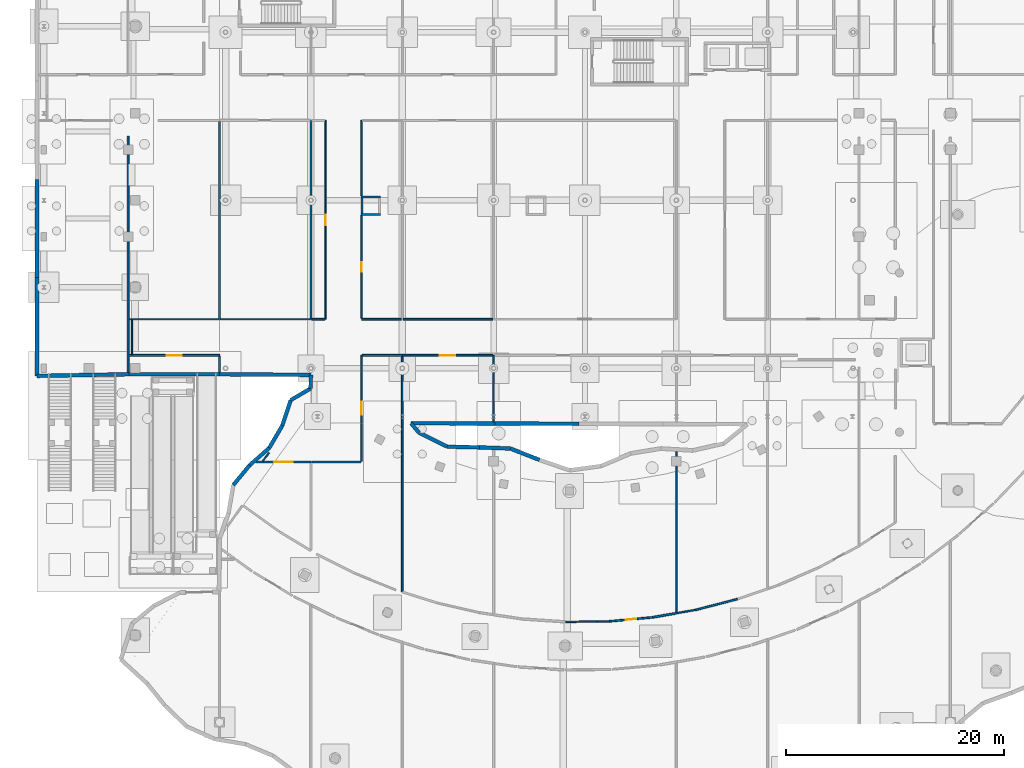
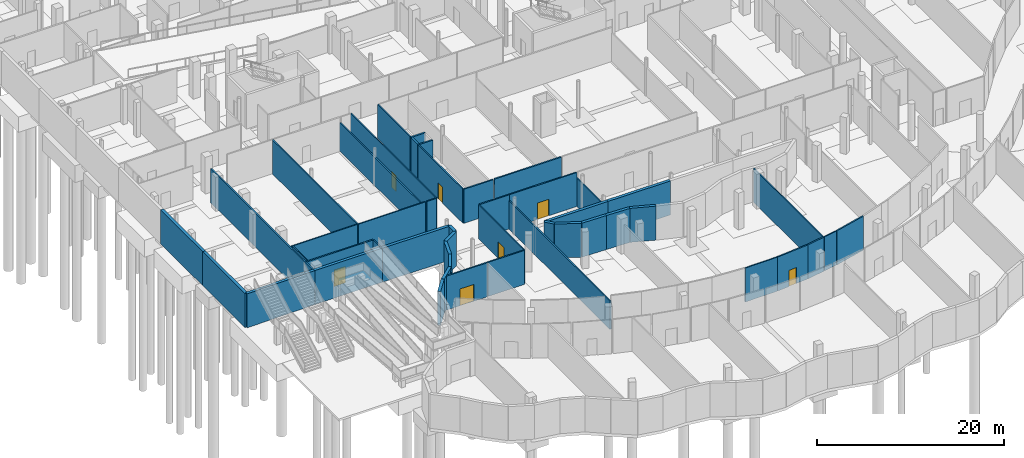
# One storey, part 26 of 45: 49 walls, 7 doors, 7 openings.
"""IFC4 building model written with IfcOpenShell, lengths in metres."""

from ifc_helpers import new_model, si_unit, direction, frame, frame_2d, origin, place, context, subcontext, project, spatial, rectangle, extrude, material, layer, layer_set, type_object, element, fill, save


model = new_model("IFC4")

# Units and contexts
model_context = context("Model", 3, precision=1e-05, world=origin(), true_north=direction((0.0, 1.0)))
body_context = subcontext(model_context, "Body", "Model", "MODEL_VIEW")
ifc_project = project(units=[si_unit("LENGTHUNIT", "METRE"), si_unit("AREAUNIT", "SQUARE_METRE"), si_unit("VOLUMEUNIT", "CUBIC_METRE"), si_unit("PLANEANGLEUNIT", "RADIAN"), si_unit("MASSUNIT", "GRAM", prefix="KILO")], contexts=[model_context])

# Site, building, storey
site_placement = place(None, origin())
site = spatial("IfcSite", under=ifc_project, at=site_placement, CompositionType="ELEMENT")
building_placement = place(site_placement, origin())
building = spatial("IfcBuilding", under=site, at=building_placement, Name="Selatvlak General Hospital", CompositionType="ELEMENT")
storey_placement = place(building_placement, frame((0.0, 0.0, -4.800048828125)))
storey = spatial("IfcBuildingStorey", under=building, at=storey_placement, Name="B1", CompositionType="ELEMENT", Elevation=-4.800048828125)

# Walls
ifc_material_1 = material(Name="Concrete C45/55", Category="concrete")
ifc_layer_1 = layer(ifc_material_1, 0.35009765625, Name="Concrete C45/55", Category="concrete")
ifc_layer_set_1 = layer_set([ifc_layer_1], Name="Concrete C45/55")
wall_type_1 = type_object("IfcWallType", Name="WALL-EW-05", PredefinedType="SHEAR", material=ifc_layer_set_1)
wall_1_placement = place(storey_placement, frame((6.0, 51.85009765625, 0.0), z_axis=(0.0, 0.0, 1.0), x_axis=(0.0, 1.0, 0.0)))
element("IfcWall", 1, at=wall_1_placement, inside=storey, type_object=wall_type_1, Name="B1 retaining wall 0001", PredefinedType="SHEAR", context=body_context, shape_type="SweptSolid", body=[
    extrude(rectangle(XDim=9.036865234375, YDim=0.35009765625, at=frame_2d((4.5185546875, 0.0))), origin(), (0.0, 0.0, 1.0), 4.449951171875),
])
wall_2_placement = place(storey_placement, frame((6.0, 60.886962890625, 0.0), z_axis=(0.0, 0.0, 1.0), x_axis=(0.0, 1.0, 0.0)))
element("IfcWall", 2, at=wall_2_placement, inside=storey, type_object=wall_type_1, Name="B1 retaining wall 0002", PredefinedType="SHEAR", context=body_context, shape_type="SweptSolid", body=[
    extrude(rectangle(XDim=9.037109375, YDim=0.35009765625, at=frame_2d((4.5185546875, 0.0))), origin(), (0.0, 0.0, 1.0), 4.449951171875),
])
wall_3_placement = place(storey_placement, frame((24.054931640625, 41.81201171875, 0.0), z_axis=(0.0, 0.0, 1.0), x_axis=(0.636876107615, 0.770966162389, 0.0)))
element("IfcWall", 3, at=wall_3_placement, inside=storey, type_object=wall_type_1, Name="B1 retaining wall 0117", PredefinedType="SHEAR", context=body_context, shape_type="SweptSolid", body=[
    extrude(rectangle(XDim=2.36328125, YDim=0.35009765625, at=frame_2d((1.181640625, 0.0))), origin(), (0.0, 0.0, 1.0), 4.449951171875),
])
wall_4_placement = place(storey_placement, frame((25.56005859375, 43.634033203125, 0.0), z_axis=(0.0, 0.0, 1.0), x_axis=(0.749145471779, 0.662405511838, 0.0)))
element("IfcWall", 4, at=wall_4_placement, inside=storey, type_object=wall_type_1, Name="B1 retaining wall 0118", PredefinedType="SHEAR", context=body_context, shape_type="SweptSolid", body=[
    extrude(rectangle(XDim=2.409423828125, YDim=0.35009765625, at=frame_2d((1.20458984375, 0.0))), origin(), (0.0, 0.0, 1.0), 4.449951171875),
])
wall_5_placement = place(storey_placement, frame((27.364990234375, 45.22998046875, 0.0), z_axis=(0.0, 0.0, 1.0), x_axis=(0.505080098532, 0.863072473241, 0.0)))
element("IfcWall", 5, at=wall_5_placement, inside=storey, type_object=wall_type_1, Name="B1 retaining wall 0119", PredefinedType="SHEAR", context=body_context, shape_type="SweptSolid", body=[
    extrude(rectangle(XDim=2.371826171875, YDim=0.35009765625, at=frame_2d((1.18603515625, 0.0))), origin(), (0.0, 0.0, 1.0), 4.449951171875),
])
wall_6_placement = place(storey_placement, frame((28.56298828125, 47.277099609375, 0.0), z_axis=(0.0, 0.0, 1.0), x_axis=(0.314688914906, 0.949194862415, 0.0)))
element("IfcWall", 6, at=wall_6_placement, inside=storey, type_object=wall_type_1, Name="B1 retaining wall 0120", PredefinedType="SHEAR", context=body_context, shape_type="SweptSolid", body=[
    extrude(rectangle(XDim=2.4755859375, YDim=0.35009765625, at=frame_2d((1.23779296875, 0.0))), origin(), (0.0, 0.0, 1.0), 4.449951171875),
])
wall_7_placement = place(storey_placement, frame((29.342041015625, 49.626953125, 0.0), z_axis=(0.0, 0.0, 1.0), x_axis=(0.862996083424, 0.505210609543, 0.0)))
element("IfcWall", 7, at=wall_7_placement, inside=storey, type_object=wall_type_1, Name="B1 retaining wall 0121", PredefinedType="SHEAR", context=body_context, shape_type="SweptSolid", body=[
    extrude(rectangle(XDim=2.1181640625, YDim=0.35009765625, at=frame_2d((1.05908203125, 0.0))), origin(), (0.0, 0.0, 1.0), 4.449951171875),
])
wall_8_placement = place(storey_placement, frame((31.169921875, 50.697021484375, 0.0), z_axis=(0.0, 0.0, 1.0), x_axis=(0.024153234526, 0.999708268077, 0.0)))
element("IfcWall", 8, at=wall_8_placement, inside=storey, type_object=wall_type_1, Name="B1 retaining wall 0122", PredefinedType="SHEAR", context=body_context, shape_type="SweptSolid", body=[
    extrude(rectangle(XDim=1.2431640625, YDim=0.35009765625, at=frame_2d((0.62158203125, 0.0))), origin(), (0.0, 0.0, 1.0), 4.449951171875),
])
wall_9_placement = place(storey_placement, frame((31.199951171875, 51.93994140625, 0.0), z_axis=(0.0, 0.0, 1.0), x_axis=(-0.999974385273, 0.007157429625, 0.0)))
element("IfcWall", 9, at=wall_9_placement, inside=storey, type_object=wall_type_1, Name="B1 retaining wall 0123", PredefinedType="SHEAR", context=body_context, shape_type="SweptSolid", body=[
    extrude(rectangle(XDim=8.39111328125, YDim=0.35009765625, at=frame_2d((4.195556640625, 0.0))), origin(), (0.0, 0.0, 1.0), 4.449951171875),
])
wall_10_placement = place(storey_placement, frame((22.80908203125, 52.0, 0.0), z_axis=(0.0, 0.0, 1.0), x_axis=(-1.0, 0.0, 0.0)))
element("IfcWall", 10, at=wall_10_placement, inside=storey, type_object=wall_type_1, Name="B1 retaining wall 0124", PredefinedType="SHEAR", context=body_context, shape_type="SweptSolid", body=[
    extrude(rectangle(XDim=8.34912109375, YDim=0.35009765625, at=frame_2d((4.174560546875, 0.0))), origin(), (0.0, 0.0, 1.0), 4.449951171875),
])
wall_11_placement = place(storey_placement, frame((14.4599609375, 52.0, 0.0), z_axis=(0.0, 0.0, 1.0), x_axis=(-0.999843054855, -0.01771625406, 0.0)))
element("IfcWall", 11, at=wall_11_placement, inside=storey, type_object=wall_type_1, Name="B1 retaining wall 0125", PredefinedType="SHEAR", context=body_context, shape_type="SweptSolid", body=[
    extrude(rectangle(XDim=8.461181640625, YDim=0.35009765625, at=frame_2d((4.23046875, 0.0))), origin(), (0.0, 0.0, 1.0), 4.449951171875),
])
wall_12_placement = place(storey_placement, frame((49.5380859375, 45.1708984375, 0.0), z_axis=(0.0, 0.0, 1.0), x_axis=(0.932197520847, -0.361949971856, 0.0)))
element("IfcWall", 12, at=wall_12_placement, inside=storey, type_object=wall_type_1, Name="B1 retaining wall 0126", PredefinedType="SHEAR", context=body_context, shape_type="SweptSolid", body=[
    extrude(rectangle(XDim=2.872802734375, YDim=0.35009765625, at=frame_2d((1.4365234375, 0.0))), origin(), (0.0, 0.0, 1.0), 4.449951171875),
])
wall_13_placement = place(storey_placement, frame((55.85498046875, 47.447021484375, 0.0), z_axis=(0.0, 0.0, 1.0), x_axis=(-0.999994388871, 0.00334995908, 0.0)))
element("IfcWall", 13, at=wall_13_placement, inside=storey, type_object=wall_type_1, Name="B1 retaining wall 0136", PredefinedType="SHEAR", context=body_context, shape_type="SweptSolid", body=[
    extrude(rectangle(XDim=7.72509765625, YDim=0.35009765625, at=frame_2d((3.862548828125, 0.0))), origin(), (0.0, 0.0, 1.0), 4.449951171875),
])
wall_14_placement = place(storey_placement, frame((48.1298828125, 47.472900390625, 0.0), z_axis=(0.0, 0.0, 1.0), x_axis=(-0.999993846651, 0.003508084984, 0.0)))
element("IfcWall", 14, at=wall_14_placement, inside=storey, type_object=wall_type_1, Name="B1 retaining wall 0137", PredefinedType="SHEAR", context=body_context, shape_type="SweptSolid", body=[
    extrude(rectangle(XDim=7.724853515625, YDim=0.35009765625, at=frame_2d((3.8623046875, 0.0))), origin(), (0.0, 0.0, 1.0), 4.449951171875),
])
wall_15_placement = place(storey_placement, frame((40.405029296875, 47.5, 0.0), z_axis=(0.0, 0.0, 1.0), x_axis=(0.645591853451, -0.763682629603, 0.0)))
element("IfcWall", 15, at=wall_15_placement, inside=storey, type_object=wall_type_1, Name="B1 retaining wall 0138", PredefinedType="SHEAR", context=body_context, shape_type="SweptSolid", body=[
    extrude(rectangle(XDim=1.124755859375, YDim=0.35009765625, at=frame_2d((0.5625, 0.0))), origin(), (0.0, 0.0, 1.0), 4.449951171875),
])
wall_16_placement = place(storey_placement, frame((41.131103515625, 46.64111328125, 0.0), z_axis=(0.0, 0.0, 1.0), x_axis=(0.893357392407, -0.449346825327, 0.0)))
element("IfcWall", 16, at=wall_16_placement, inside=storey, type_object=wall_type_1, Name="B1 retaining wall 0139", PredefinedType="SHEAR", context=body_context, shape_type="SweptSolid", body=[
    extrude(rectangle(XDim=2.88232421875, YDim=0.35009765625, at=frame_2d((1.441162109375, 0.0))), origin(), (0.0, 0.0, 1.0), 4.449951171875),
])
wall_17_placement = place(storey_placement, frame((43.7060546875, 45.345947265625, 0.0), z_axis=(0.0, 0.0, 1.0), x_axis=(0.999734269031, -0.023051926727, 0.0)))
element("IfcWall", 17, at=wall_17_placement, inside=storey, type_object=wall_type_1, Name="B1 retaining wall 0140", PredefinedType="SHEAR", context=body_context, shape_type="SweptSolid", body=[
    extrude(rectangle(XDim=2.986572265625, YDim=0.35009765625, at=frame_2d((1.4931640625, 0.0))), origin(), (0.0, 0.0, 1.0), 4.449951171875),
])
wall_18_placement = place(storey_placement, frame((46.69189453125, 45.277099609375, 0.0), z_axis=(0.0, 0.0, 1.0), x_axis=(0.999304579952, -0.037287484327, 0.0)))
element("IfcWall", 18, at=wall_18_placement, inside=storey, type_object=wall_type_1, Name="B1 retaining wall 0141", PredefinedType="SHEAR", context=body_context, shape_type="SweptSolid", body=[
    extrude(rectangle(XDim=2.84814453125, YDim=0.35009765625, at=frame_2d((1.424072265625, 0.0))), origin(), (0.0, 0.0, 1.0), 4.449951171875),
])
ifc_material_2 = material(Name="Concrete C40/50", Category="concrete")
ifc_layer_2 = layer(ifc_material_2, 0.199951171875, Name="Concrete C40/50", Category="concrete")
ifc_layer_set_2 = layer_set([ifc_layer_2], Name="Concrete C40/50")
wall_type_2 = type_object("IfcWallType", Name="WALL-IW-02", PredefinedType="SOLIDWALL", material=ifc_layer_set_2)
for number, where, z_axis, x_axis, name in (
    (19, (35.800048828125, 66.699951171875, 0.0), (0.0, 0.0, 1.0), (1.0, 0.0, 0.0), "Service riser 5 shaft wall B1 S"),
    (20, (37.60009765625, 68.300048828125, 0.0), (0.0, 0.0, 1.0), (-1.0, 0.0, 0.0), "Service riser 5 shaft wall B1 N"),
):
    element("IfcWall", number, at=place(storey_placement, frame(where, z_axis=z_axis, x_axis=x_axis)), inside=storey, type_object=wall_type_2, Name=name, PredefinedType="SOLIDWALL", context=body_context, shape_type="SweptSolid", body=[
        extrude(rectangle(XDim=1.800048828125, YDim=0.199951171875, at=frame_2d((0.89990234375, 0.0))), origin(), (0.0, 0.0, 1.0), 4.449951171875),
    ])
wall_19_placement = place(storey_placement, frame((35.89990234375, 68.199951171875, 0.0), z_axis=(0.0, 0.0, 1.0), x_axis=(0.0, -1.0, 0.0)))
element("IfcWall", 21, at=wall_19_placement, inside=storey, type_object=wall_type_2, Name="Service riser 5 shaft wall B1 W", PredefinedType="SOLIDWALL", context=body_context, shape_type="SweptSolid", body=[
    extrude(rectangle(XDim=1.39990234375, YDim=0.199951171875, at=frame_2d((0.699951171875, 0.0))), origin(), (0.0, 0.0, 1.0), 4.449951171875),
])

# Wall, opening, door
ifc_material_3 = material(Name="Acoustic gypsum stud partition")
ifc_layer_3 = layer(ifc_material_3, 0.179931640625, Name="Acoustic gypsum stud partition")
ifc_layer_set_3 = layer_set([ifc_layer_3], Name="Acoustic gypsum stud partition")
wall_type_3 = type_object("IfcWallType", Name="WALL-PT-01", PredefinedType="PARTITIONING", material=ifc_layer_set_3)
wall_20_placement = place(storey_placement, frame((26.166015625, 43.93994140625, 0.0), z_axis=(0.0, 0.0, 1.0), x_axis=(1.0, 0.0, 0.0)))
wall_20 = element("IfcWall", 22, at=wall_20_placement, inside=storey, type_object=wall_type_3, Name="B1 clinical partition PT-B1-0021", PredefinedType="PARTITIONING", context=body_context, shape_type="SweptSolid", body=[
    extrude(rectangle(XDim=5.033935546875, YDim=0.179931640625, at=frame_2d((2.51708984375, 0.0))), origin(), (0.0, 0.0, 1.0), 4.449951171875),
])
opening_1_placement = place(wall_20_placement, frame((1.6669921875, 0.0, 0.0)))
opening_1 = element("IfcOpeningElement", 23, at=opening_1_placement, cuts=wall_20, Name="Opening D-15", PredefinedType="OPENING", context=body_context, shape_type="SweptSolid", body=[
    extrude(rectangle(XDim=1.699951171875, YDim=2.199951171875, at=frame_2d((0.85009765625, 1.10009765625))), frame((0.0, 0.099853515625, 0.0), z_axis=(0.0, -1.0, 0.0), x_axis=(1.0, 0.0, 0.0)), (0.0, 0.0, 1.0), 0.199951171875),
])
ifc_material_4 = material(Name="Maternity delivery double door")
door_type_1 = type_object("IfcDoorType", Name="DOOR-D-15", OperationType="DOUBLE_DOOR_SINGLE_SWING", PredefinedType="DOOR", material=ifc_material_4)
door_1_placement = place(opening_1_placement, origin())
door_1 = element("IfcDoor", 24, at=door_1_placement, inside=storey, type_object=door_type_1, Name="B1 Metro Concourse Reception Hall door", OperationType="DOUBLE_DOOR_SINGLE_SWING", OverallHeight=2.199951171875, OverallWidth=1.699951171875, PredefinedType="DOOR", context=body_context, shape_type="SweptSolid", body=[
    extrude(rectangle(XDim=1.699951171875, YDim=2.199951171875, at=frame_2d((0.85009765625, 1.10009765625))), frame((0.0, 0.02490234375, 0.0), z_axis=(0.0, -1.0, 0.0), x_axis=(1.0, 0.0, 0.0)), (0.0, 0.0, 1.0), 0.050048828125),
])
fill(opening_1, door_1)

# Wall
wall_21_placement = place(storey_placement, frame((14.39990234375, 73.887939453125, 0.0), z_axis=(0.0, 0.0, 1.0), x_axis=(0.0, -1.0, 0.0)))
element("IfcWall", 25, at=wall_21_placement, inside=storey, type_object=wall_type_3, Name="B1 clinical partition PT-B1-0025", PredefinedType="PARTITIONING", context=body_context, shape_type="SweptSolid", body=[
    extrude(rectangle(XDim=21.717041015625, YDim=0.179931640625, at=frame_2d((10.8583984375, 0.0))), origin(), (0.0, 0.0, 1.0), 4.449951171875),
])

# Wall, opening, door
wall_22_placement = place(storey_placement, frame((14.486083984375, 53.739990234375, 0.0), z_axis=(0.0, 0.0, 1.0), x_axis=(1.0, 0.0, 0.0)))
wall_22 = element("IfcWall", 26, at=wall_22_placement, inside=storey, type_object=wall_type_3, Name="B1 clinical partition PT-B1-0030", PredefinedType="PARTITIONING", context=body_context, shape_type="SweptSolid", body=[
    extrude(rectangle(XDim=8.31396484375, YDim=0.179931640625, at=frame_2d((4.156982421875, 0.0))), origin(), (0.0, 0.0, 1.0), 4.449951171875),
])
opening_2_placement = place(wall_22_placement, frame((3.45703125, 0.0, 0.0)))
opening_2 = element("IfcOpeningElement", 27, at=opening_2_placement, cuts=wall_22, Name="Opening D-11", PredefinedType="OPENING", context=body_context, shape_type="SweptSolid", body=[
    extrude(rectangle(XDim=1.39990234375, YDim=2.14990234375, at=frame_2d((0.699951171875, 1.074951171875))), frame((0.0, 0.099853515625, 0.0), z_axis=(0.0, -1.0, 0.0), x_axis=(1.0, 0.0, 0.0)), (0.0, 0.0, 1.0), 0.199951171875),
])
ifc_material_5 = material(Name="Inpatient suite bed door")
door_type_2 = type_object("IfcDoorType", Name="DOOR-D-11", OperationType="NOTDEFINED", PredefinedType="DOOR", material=ifc_material_5)
door_2_placement = place(opening_2_placement, origin())
door_2 = element("IfcDoor", 28, at=door_2_placement, inside=storey, type_object=door_type_2, Name="B1 Hospital Dietary Kitchen 02 door", OperationType="SINGLE_SWING_RIGHT", OverallHeight=2.14990234375, OverallWidth=1.39990234375, PredefinedType="DOOR", context=body_context, shape_type="SweptSolid", body=[
    extrude(rectangle(XDim=1.39990234375, YDim=2.14990234375, at=frame_2d((0.699951171875, 1.074951171875))), frame((0.0, 0.02490234375, 0.0), z_axis=(0.0, -1.0, 0.0), x_axis=(1.0, 0.0, 0.0)), (0.0, 0.0, 1.0), 0.050048828125),
])
fill(opening_2, door_2)

# Walls
wall_23_placement = place(storey_placement, frame((32.47705078125, 57.06005859375, 0.0), z_axis=(0.0, 0.0, 1.0), x_axis=(-1.0, 0.0, 0.0)))
element("IfcWall", 29, at=wall_23_placement, inside=storey, type_object=wall_type_3, Name="B1 clinical partition PT-B1-0045", PredefinedType="PARTITIONING", context=body_context, shape_type="SweptSolid", body=[
    extrude(rectangle(XDim=1.198974609375, YDim=0.179931640625, at=frame_2d((0.599609375, 0.0))), origin(), (0.0, 0.0, 1.0), 4.449951171875),
])
wall_24_placement = place(storey_placement, frame((35.923095703125, 53.739990234375, 0.0), z_axis=(0.0, 0.0, 1.0), x_axis=(1.0, 0.0, 0.0)))
element("IfcWall", 30, at=wall_24_placement, inside=storey, type_object=wall_type_3, Name="B1 clinical partition PT-B1-0048", PredefinedType="PARTITIONING", context=body_context, shape_type="SweptSolid", body=[
    extrude(rectangle(XDim=3.677001953125, YDim=0.179931640625, at=frame_2d((1.83837890625, 0.0))), origin(), (0.0, 0.0, 1.0), 4.449951171875),
])
wall_25_placement = place(storey_placement, frame((47.93701171875, 57.06005859375, 0.0), z_axis=(0.0, 0.0, 1.0), x_axis=(-1.0, 0.0, 0.0)))
element("IfcWall", 31, at=wall_25_placement, inside=storey, type_object=wall_type_3, Name="B1 clinical partition PT-B1-0069", PredefinedType="PARTITIONING", context=body_context, shape_type="SweptSolid", body=[
    extrude(rectangle(XDim=8.2509765625, YDim=0.179931640625, at=frame_2d((4.12548828125, 0.0))), origin(), (0.0, 0.0, 1.0), 4.449951171875),
])
wall_26_placement = place(storey_placement, frame((64.800048828125, 30.028076171875, 0.0), z_axis=(0.0, 0.0, 1.0), x_axis=(-0.985196357546, -0.17142968552, 0.0)))
element("IfcWall", 32, at=wall_26_placement, inside=storey, type_object=wall_type_3, Name="B1 clinical partition PT-B1-0084", PredefinedType="PARTITIONING", context=body_context, shape_type="SweptSolid", body=[
    extrude(rectangle(XDim=2.211669921875, YDim=0.179931640625, at=frame_2d((1.10595703125, 0.0))), origin(), (0.0, 0.0, 1.0), 4.449951171875),
])
ifc_layer_4 = layer(ifc_material_3, 0.1650390625, Name="Acoustic gypsum stud partition")
ifc_layer_set_4 = layer_set([ifc_layer_4], Name="Acoustic gypsum stud partition")
wall_type_4 = type_object("IfcWallType", Name="WALL-PT-02", PredefinedType="PARTITIONING", material=ifc_layer_set_4)
wall_27_placement = place(storey_placement, frame((22.800048828125, 53.654052734375, 0.0), z_axis=(0.0, 0.0, 1.0), x_axis=(0.0, -1.0, 0.0)))
element("IfcWall", 33, at=wall_27_placement, inside=storey, type_object=wall_type_4, Name="B1 clinical partition PT-B1-0031", PredefinedType="PARTITIONING", context=body_context, shape_type="SweptSolid", body=[
    extrude(rectangle(XDim=1.48193359375, YDim=0.1650390625, at=frame_2d((0.740966796875, 0.0))), origin(), (0.0, 0.0, 1.0), 4.449951171875),
])
wall_28_placement = place(storey_placement, frame((31.199951171875, 75.340087890625, 0.0), z_axis=(0.0, 0.0, 1.0), x_axis=(0.0, -1.0, 0.0)))
element("IfcWall", 34, at=wall_28_placement, inside=storey, type_object=wall_type_4, Name="B1 clinical partition PT-B1-0037", PredefinedType="PARTITIONING", context=body_context, shape_type="SweptSolid", body=[
    extrude(rectangle(XDim=18.280029296875, YDim=0.1650390625, at=frame_2d((9.14013671875, 0.0))), origin(), (0.0, 0.0, 1.0), 3.699951171875),
])
wall_29_placement = place(storey_placement, frame((39.60009765625, 53.654052734375, 0.0), z_axis=(0.0, 0.0, 1.0), x_axis=(0.0, -1.0, 0.0)))
element("IfcWall", 35, at=wall_29_placement, inside=storey, type_object=wall_type_4, Name="B1 clinical partition PT-B1-0049", PredefinedType="PARTITIONING", context=body_context, shape_type="SweptSolid", body=[
    extrude(rectangle(XDim=21.670166015625, YDim=0.1650390625, at=frame_2d((10.8349609375, 0.0))), origin(), (0.0, 0.0, 1.0), 3.699951171875),
])
wall_30_placement = place(storey_placement, frame((31.260009765625, 43.93994140625, 0.0), z_axis=(0.0, 0.0, 1.0), x_axis=(1.0, 0.0, 0.0)))
element("IfcWall", 36, at=wall_30_placement, inside=storey, type_object=wall_type_4, Name="B1 clinical partition PT-B1-0052", PredefinedType="PARTITIONING", context=body_context, shape_type="SweptSolid", body=[
    extrude(rectangle(XDim=4.5400390625, YDim=0.1650390625, at=frame_2d((2.27001953125, 0.0))), origin(), (0.0, 0.0, 1.0), 4.449951171875),
])
wall_31_placement = place(storey_placement, frame((39.513916015625, 57.06005859375, 0.0), z_axis=(0.0, 0.0, 1.0), x_axis=(-1.0, 0.0, 0.0)))
element("IfcWall", 37, at=wall_31_placement, inside=storey, type_object=wall_type_4, Name="B1 clinical partition PT-B1-0056", PredefinedType="PARTITIONING", context=body_context, shape_type="SweptSolid", body=[
    extrude(rectangle(XDim=3.65380859375, YDim=0.1650390625, at=frame_2d((1.826904296875, 0.0))), origin(), (0.0, 0.0, 1.0), 4.449951171875),
])

# Wall, opening, door
wall_32_placement = place(storey_placement, frame((39.60009765625, 53.739990234375, 0.0), z_axis=(0.0, 0.0, 1.0), x_axis=(1.0, 0.0, 0.0)))
wall_32 = element("IfcWall", 38, at=wall_32_placement, inside=storey, type_object=wall_type_4, Name="B1 clinical partition PT-B1-0067", PredefinedType="PARTITIONING", context=body_context, shape_type="SweptSolid", body=[
    extrude(rectangle(XDim=8.3369140625, YDim=0.1650390625, at=frame_2d((4.16845703125, 0.0))), origin(), (0.0, 0.0, 1.0), 4.449951171875),
])
opening_3_placement = place(wall_32_placement, frame((3.468017578125, 0.0, 0.0)))
opening_3 = element("IfcOpeningElement", 39, at=opening_3_placement, cuts=wall_32, Name="Opening D-11", PredefinedType="OPENING", context=body_context, shape_type="SweptSolid", body=[
    extrude(rectangle(XDim=1.39990234375, YDim=2.14990234375, at=frame_2d((0.699951171875, 1.074951171875))), frame((0.0, 0.092529296875, 0.0), z_axis=(0.0, -1.0, 0.0), x_axis=(1.0, 0.0, 0.0)), (0.0, 0.0, 1.0), 0.18505859375),
])
door_3_placement = place(opening_3_placement, origin())
door_3 = element("IfcDoor", 40, at=door_3_placement, inside=storey, type_object=door_type_2, Name="B1 Outpatient Medical Records Archive 10 door", OperationType="SINGLE_SWING_RIGHT", OverallHeight=2.14990234375, OverallWidth=1.39990234375, PredefinedType="DOOR", context=body_context, shape_type="SweptSolid", body=[
    extrude(rectangle(XDim=1.39990234375, YDim=2.14990234375, at=frame_2d((0.699951171875, 1.074951171875))), frame((0.0, 0.02490234375, 0.0), z_axis=(0.0, -1.0, 0.0), x_axis=(1.0, 0.0, 0.0)), (0.0, 0.0, 1.0), 0.050048828125),
])
fill(opening_3, door_3)

wall_33_placement = place(storey_placement, frame((62.62109375, 29.64892578125, 0.0), z_axis=(0.0, 0.0, 1.0), x_axis=(-0.99575902483, -0.091999806904, 0.0)))
wall_33 = element("IfcWall", 41, at=wall_33_placement, inside=storey, type_object=wall_type_4, Name="B1 clinical partition PT-B1-0079", PredefinedType="PARTITIONING", context=body_context, shape_type="SweptSolid", body=[
    extrude(rectangle(XDim=3.9990234375, YDim=0.1650390625, at=frame_2d((1.99951171875, 0.0))), origin(), (0.0, 0.0, 1.0), 4.449951171875),
])
opening_4_placement = place(wall_33_placement, frame((1.52392578125, 0.0, 0.0)))
opening_4 = element("IfcOpeningElement", 42, at=opening_4_placement, cuts=wall_33, Name="Opening D-02", PredefinedType="OPENING", context=body_context, shape_type="SweptSolid", body=[
    extrude(rectangle(XDim=0.949951171875, YDim=2.10009765625, at=frame_2d((0.47509765625, 1.050048828125))), frame((0.0, 0.092529296875, 0.0), z_axis=(0.0, -1.0, 0.0), x_axis=(1.0, 0.0, 0.0)), (0.0, 0.0, 1.0), 0.18505859375),
])
ifc_material_6 = material(Name="Moisture-resistant en-suite door")
door_type_3 = type_object("IfcDoorType", Name="DOOR-D-02", OperationType="NOTDEFINED", PredefinedType="DOOR", material=ifc_material_6)
door_4_placement = place(opening_4_placement, origin())
door_4 = element("IfcDoor", 43, at=door_4_placement, inside=storey, type_object=door_type_3, Name="B1 Automated Pharmacy Robotics Plant 14 door", OperationType="SINGLE_SWING_RIGHT", OverallHeight=2.10009765625, OverallWidth=0.949951171875, PredefinedType="DOOR", context=body_context, shape_type="SweptSolid", body=[
    extrude(rectangle(XDim=0.949951171875, YDim=2.10009765625, at=frame_2d((0.47509765625, 1.050048828125))), frame((0.0, 0.02490234375, 0.0), z_axis=(0.0, -1.0, 0.0), x_axis=(1.0, 0.0, 0.0)), (0.0, 0.0, 1.0), 0.050048828125),
])
fill(opening_4, door_4)

# Walls
wall_34_placement = place(storey_placement, frame((70.43310546875, 31.327880859375, 0.0), z_axis=(0.0, 0.0, 1.0), x_axis=(-0.968571543656, -0.248735129846, 0.0)))
element("IfcWall", 44, at=wall_34_placement, inside=storey, type_object=wall_type_4, Name="B1 clinical partition PT-B1-0094", PredefinedType="PARTITIONING", context=body_context, shape_type="SweptSolid", body=[
    extrude(rectangle(XDim=3.999755859375, YDim=0.1650390625, at=frame_2d((2.0, 0.0))), origin(), (0.0, 0.0, 1.0), 4.449951171875),
])
ifc_layer_5 = layer(ifc_material_3, 0.14990234375, Name="Acoustic gypsum stud partition")
ifc_layer_set_5 = layer_set([ifc_layer_5], Name="Acoustic gypsum stud partition")
wall_type_5 = type_object("IfcWallType", Name="WALL-PT-03", PredefinedType="PARTITIONING", material=ifc_layer_set_5)
wall_35_placement = place(storey_placement, frame((22.800048828125, 75.260986328125, 0.0), z_axis=(0.0, 0.0, 1.0), x_axis=(0.0, -1.0, 0.0)))
element("IfcWall", 45, at=wall_35_placement, inside=storey, type_object=wall_type_5, Name="B1 clinical partition PT-B1-0027", PredefinedType="PARTITIONING", context=body_context, shape_type="SweptSolid", body=[
    extrude(rectangle(XDim=18.200927734375, YDim=0.14990234375, at=frame_2d((9.1005859375, 0.0))), origin(), (0.0, 0.0, 1.0), 4.449951171875),
])

# Wall, opening, door
wall_36_placement = place(storey_placement, frame((35.860107421875, 57.138916015625, 0.0), z_axis=(0.0, 0.0, 1.0), x_axis=(0.0, 1.0, 0.0)))
wall_36 = element("IfcWall", 46, at=wall_36_placement, inside=storey, type_object=wall_type_5, Name="B1 clinical partition PT-B1-0057", PredefinedType="PARTITIONING", context=body_context, shape_type="SweptSolid", body=[
    extrude(rectangle(XDim=9.464111328125, YDim=0.14990234375, at=frame_2d((4.73193359375, 0.0))), origin(), (0.0, 0.0, 1.0), 4.449951171875),
])
opening_5_placement = place(wall_36_placement, frame((4.281982421875, 0.0, 0.0)))
opening_5 = element("IfcOpeningElement", 47, at=opening_5_placement, cuts=wall_36, Name="Opening D-01", PredefinedType="OPENING", context=body_context, shape_type="SweptSolid", body=[
    extrude(rectangle(XDim=0.89990234375, YDim=2.10009765625, at=frame_2d((0.449951171875, 1.050048828125))), frame((0.0, 0.0849609375, 0.0), z_axis=(0.0, -1.0, 0.0), x_axis=(1.0, 0.0, 0.0)), (0.0, 0.0, 1.0), 0.169921875),
])
ifc_material_7 = material(Name="Hardwood clinical room door", Category="wood")
door_type_4 = type_object("IfcDoorType", Name="DOOR-D-01", OperationType="NOTDEFINED", PredefinedType="DOOR", material=ifc_material_7)
door_5_placement = place(opening_5_placement, origin())
door_5 = element("IfcDoor", 48, at=door_5_placement, inside=storey, type_object=door_type_4, Name="B1 Hospital Linen Laundry 08 door", OperationType="SINGLE_SWING_RIGHT", OverallHeight=2.10009765625, OverallWidth=0.89990234375, PredefinedType="DOOR", context=body_context, shape_type="SweptSolid", body=[
    extrude(rectangle(XDim=0.89990234375, YDim=2.10009765625, at=frame_2d((0.449951171875, 1.050048828125))), frame((0.0, 0.02490234375, 0.0), z_axis=(0.0, -1.0, 0.0), x_axis=(1.0, 0.0, 0.0)), (0.0, 0.0, 1.0), 0.050048828125),
])
fill(opening_5, door_5)

# Walls
ifc_material_8 = material(Name="Moisture-resistant clinical partition")
ifc_layer_6 = layer(ifc_material_8, 0.135009765625, Name="Moisture-resistant clinical partition")
ifc_layer_set_6 = layer_set([ifc_layer_6], Name="Moisture-resistant clinical partition")
wall_type_6 = type_object("IfcWallType", Name="WALL-PT-04", PredefinedType="PARTITIONING", material=ifc_layer_set_6)
wall_37_placement = place(storey_placement, frame((27.337890625, 44.784912109375, 0.0), z_axis=(0.0, 0.0, 1.0), x_axis=(-0.593261689299, -0.805009669513, 0.0)))
element("IfcWall", 49, at=wall_37_placement, inside=storey, type_object=wall_type_6, Name="B1 clinical partition PT-B1-0020", PredefinedType="PARTITIONING", context=body_context, shape_type="SweptSolid", body=[
    extrude(rectangle(XDim=0.930419921875, YDim=0.135009765625, at=frame_2d((0.46533203125, 0.0))), origin(), (0.0, 0.0, 1.0), 4.449951171875),
])
wall_38_placement = place(storey_placement, frame((22.72900390625, 57.06005859375, 0.0), z_axis=(0.0, 0.0, 1.0), x_axis=(-1.0, 0.0, 0.0)))
element("IfcWall", 50, at=wall_38_placement, inside=storey, type_object=wall_type_6, Name="B1 clinical partition PT-B1-0028", PredefinedType="PARTITIONING", context=body_context, shape_type="SweptSolid", body=[
    extrude(rectangle(XDim=8.242919921875, YDim=0.135009765625, at=frame_2d((4.12158203125, 0.0))), origin(), (0.0, 0.0, 1.0), 4.449951171875),
])
wall_39_placement = place(storey_placement, frame((31.1220703125, 57.06005859375, 0.0), z_axis=(0.0, 0.0, 1.0), x_axis=(-1.0, 0.0, 0.0)))
element("IfcWall", 51, at=wall_39_placement, inside=storey, type_object=wall_type_6, Name="B1 clinical partition PT-B1-0038", PredefinedType="PARTITIONING", context=body_context, shape_type="SweptSolid", body=[
    extrude(rectangle(XDim=8.2509765625, YDim=0.135009765625, at=frame_2d((4.12548828125, 0.0))), origin(), (0.0, 0.0, 1.0), 4.449951171875),
])

# Wall, opening, door
wall_40_placement = place(storey_placement, frame((32.5400390625, 75.340087890625, 0.0), z_axis=(0.0, 0.0, 1.0), x_axis=(0.0, -1.0, 0.0)))
wall_40 = element("IfcWall", 52, at=wall_40_placement, inside=storey, type_object=wall_type_6, Name="B1 clinical partition PT-B1-0044", PredefinedType="PARTITIONING", context=body_context, shape_type="SweptSolid", body=[
    extrude(rectangle(XDim=18.280029296875, YDim=0.135009765625, at=frame_2d((9.14013671875, 0.0))), origin(), (0.0, 0.0, 1.0), 4.449951171875),
])
opening_6_placement = place(wall_40_placement, frame((8.6650390625, 0.0, 0.0)))
opening_6 = element("IfcOpeningElement", 53, at=opening_6_placement, cuts=wall_40, Name="Opening D-02", PredefinedType="OPENING", context=body_context, shape_type="SweptSolid", body=[
    extrude(rectangle(XDim=0.949951171875, YDim=2.10009765625, at=frame_2d((0.47509765625, 1.050048828125))), frame((0.0, 0.077392578125, 0.0), z_axis=(0.0, -1.0, 0.0), x_axis=(1.0, 0.0, 0.0)), (0.0, 0.0, 1.0), 0.155029296875),
])
door_6_placement = place(opening_6_placement, origin())
door_6 = element("IfcDoor", 54, at=door_6_placement, inside=storey, type_object=door_type_3, Name="B1 Medical Gas Manifold Plant 06 door", OperationType="SINGLE_SWING_RIGHT", OverallHeight=2.10009765625, OverallWidth=0.949951171875, PredefinedType="DOOR", context=body_context, shape_type="SweptSolid", body=[
    extrude(rectangle(XDim=0.949951171875, YDim=2.10009765625, at=frame_2d((0.47509765625, 1.050048828125))), frame((0.0, 0.02490234375, 0.0), z_axis=(0.0, -1.0, 0.0), x_axis=(1.0, 0.0, 0.0)), (0.0, 0.0, 1.0), 0.050048828125),
])
fill(opening_6, door_6)

wall_41_placement = place(storey_placement, frame((35.860107421875, 44.0, 0.0), z_axis=(0.0, 0.0, 1.0), x_axis=(0.0, 1.0, 0.0)))
wall_41 = element("IfcWall", 55, at=wall_41_placement, inside=storey, type_object=wall_type_6, Name="B1 clinical partition PT-B1-0047", PredefinedType="PARTITIONING", context=body_context, shape_type="SweptSolid", body=[
    extrude(rectangle(XDim=9.739990234375, YDim=0.135009765625, at=frame_2d((4.8701171875, 0.0))), origin(), (0.0, 0.0, 1.0), 4.449951171875),
])
opening_7_placement = place(wall_41_placement, frame((4.27001953125, 0.0, 0.0)))
opening_7 = element("IfcOpeningElement", 56, at=opening_7_placement, cuts=wall_41, Name="Opening D-07", PredefinedType="OPENING", context=body_context, shape_type="SweptSolid", body=[
    extrude(rectangle(XDim=1.199951171875, YDim=2.14990234375, at=frame_2d((0.60009765625, 1.074951171875))), frame((0.0, 0.077392578125, 0.0), z_axis=(0.0, -1.0, 0.0), x_axis=(1.0, 0.0, 0.0)), (0.0, 0.0, 1.0), 0.155029296875),
])
ifc_material_9 = material(Name="Plant and store fire door")
door_type_5 = type_object("IfcDoorType", Name="DOOR-D-07", OperationType="NOTDEFINED", PredefinedType="DOOR", material=ifc_material_9)
door_7_placement = place(opening_7_placement, origin())
door_7 = element("IfcDoor", 57, at=door_7_placement, inside=storey, type_object=door_type_5, Name="B1 Outpatient Medical Records Archive 07 door", OperationType="SINGLE_SWING_LEFT", OverallHeight=2.14990234375, OverallWidth=1.199951171875, PredefinedType="DOOR", context=body_context, shape_type="SweptSolid", body=[
    extrude(rectangle(XDim=1.199951171875, YDim=2.14990234375, at=frame_2d((0.60009765625, 1.074951171875))), frame((0.0, 0.02490234375, 0.0), z_axis=(0.0, -1.0, 0.0), x_axis=(1.0, 0.0, 0.0)), (0.0, 0.0, 1.0), 0.050048828125),
])
fill(opening_7, door_7)

# Walls
wall_42_placement = place(storey_placement, frame((35.860107421875, 68.39697265625, 0.0), z_axis=(0.0, 0.0, 1.0), x_axis=(0.0, 1.0, 0.0)))
element("IfcWall", 58, at=wall_42_placement, inside=storey, type_object=wall_type_6, Name="B1 clinical partition PT-B1-0053", PredefinedType="PARTITIONING", context=body_context, shape_type="SweptSolid", body=[
    extrude(rectangle(XDim=6.943115234375, YDim=0.135009765625, at=frame_2d((3.4716796875, 0.0))), origin(), (0.0, 0.0, 1.0), 4.449951171875),
])
wall_43_placement = place(storey_placement, frame((48.0, 53.739990234375, 0.0), z_axis=(0.0, 0.0, 1.0), x_axis=(0.0, -1.0, 0.0)))
element("IfcWall", 59, at=wall_43_placement, inside=storey, type_object=wall_type_6, Name="B1 clinical partition PT-B1-0062", PredefinedType="PARTITIONING", context=body_context, shape_type="SweptSolid", body=[
    extrude(rectangle(XDim=6.094970703125, YDim=0.135009765625, at=frame_2d((3.04736328125, 0.0))), origin(), (0.0, 0.0, 1.0), 3.699951171875),
])
wall_44_placement = place(storey_placement, frame((58.638916015625, 29.281005859375, 0.0), z_axis=(0.0, 0.0, 1.0), x_axis=(-0.999918518489, -0.012765437076, 0.0)))
element("IfcWall", 60, at=wall_44_placement, inside=storey, type_object=wall_type_6, Name="B1 clinical partition PT-B1-0080", PredefinedType="PARTITIONING", context=body_context, shape_type="SweptSolid", body=[
    extrude(rectangle(XDim=3.9970703125, YDim=0.135009765625, at=frame_2d((1.99853515625, 0.0))), origin(), (0.0, 0.0, 1.0), 4.449951171875),
])
wall_45_placement = place(storey_placement, frame((64.800048828125, 44.9130859375, 0.0), z_axis=(0.0, 0.0, 1.0), x_axis=(0.0, -1.0, 0.0)))
element("IfcWall", 61, at=wall_45_placement, inside=storey, type_object=wall_type_6, Name="B1 clinical partition PT-B1-0083", PredefinedType="PARTITIONING", context=body_context, shape_type="SweptSolid", body=[
    extrude(rectangle(XDim=14.885009765625, YDim=0.135009765625, at=frame_2d((7.4423828125, 0.0))), origin(), (0.0, 0.0, 1.0), 4.449951171875),
])
wall_46_placement = place(storey_placement, frame((66.55908203125, 30.3330078125, 0.0), z_axis=(0.0, 0.0, 1.0), x_axis=(-0.985294962793, -0.170862038773, 0.0)))
element("IfcWall", 62, at=wall_46_placement, inside=storey, type_object=wall_type_6, Name="B1 clinical partition PT-B1-0095", PredefinedType="PARTITIONING", context=body_context, shape_type="SweptSolid", body=[
    extrude(rectangle(XDim=1.720458984375, YDim=0.135009765625, at=frame_2d((0.8603515625, 0.0))), origin(), (0.0, 0.0, 1.0), 4.449951171875),
])
ifc_layer_7 = layer(ifc_material_8, 0.1201171875, Name="Moisture-resistant clinical partition")
ifc_layer_set_7 = layer_set([ifc_layer_7], Name="Moisture-resistant clinical partition")
wall_type_7 = type_object("IfcWallType", Name="WALL-PT-05", PredefinedType="PARTITIONING", material=ifc_layer_set_7)
wall_47_placement = place(storey_placement, frame((14.739990234375, 56.9970703125, 0.0), z_axis=(0.0, 0.0, 1.0), x_axis=(0.0, -1.0, 0.0)))
element("IfcWall", 63, at=wall_47_placement, inside=storey, type_object=wall_type_7, Name="B1 clinical partition PT-B1-0029", PredefinedType="PARTITIONING", context=body_context, shape_type="SweptSolid", body=[
    extrude(rectangle(XDim=3.197021484375, YDim=0.1201171875, at=frame_2d((1.5986328125, 0.0))), origin(), (0.0, 0.0, 1.0), 4.449951171875),
])

save(model, "model.ifc")
